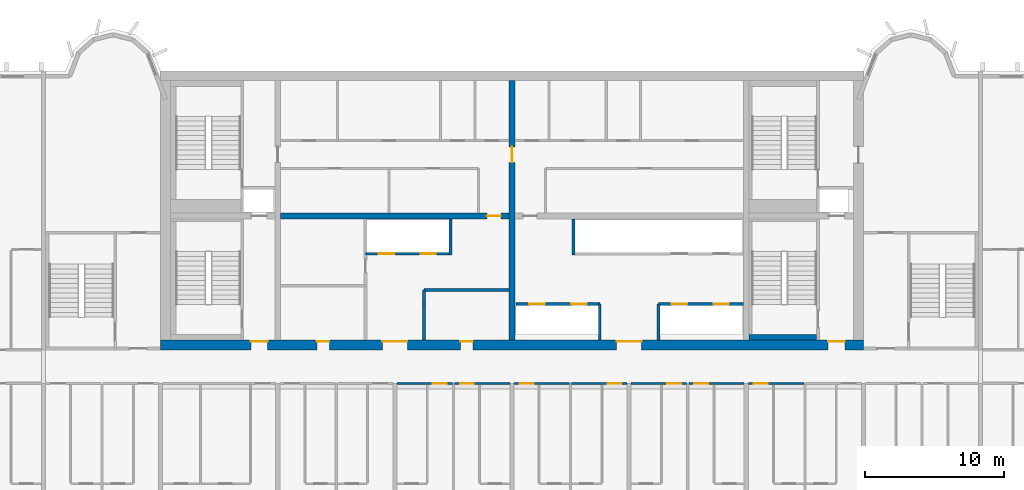
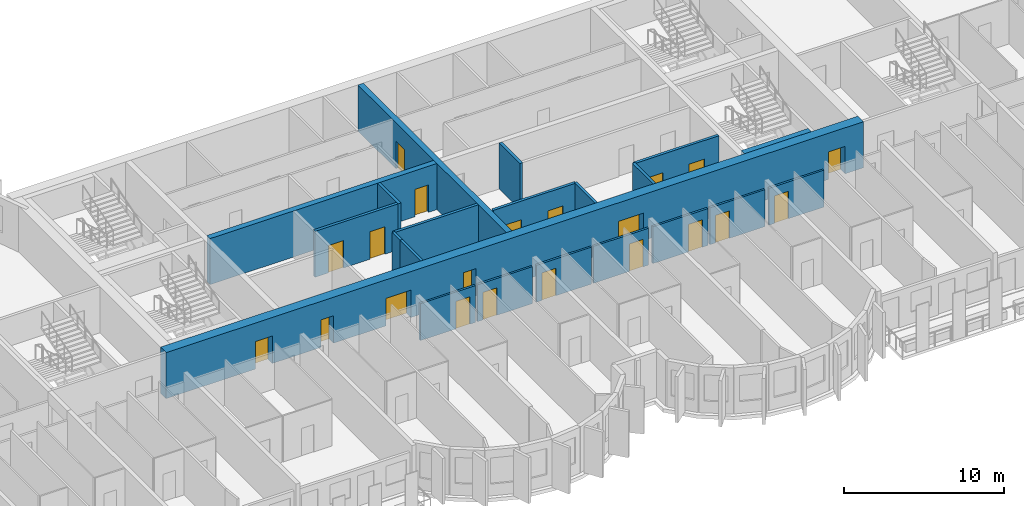
# One storey, part 6 of 13: 21 doors, 21 walls, 21 openings.
"""IFC4 building model written with IfcOpenShell, lengths in metres."""

from ifc_helpers import new_model, si_unit, direction, frame, frame_2d, origin, place, context, subcontext, project, spatial, rectangle, extrude, source, transform, mapped, material, layer, layer_set, type_object, element, fill, save


model = new_model("IFC4")

# Units and contexts
model_context = context("Model", 3, precision=1e-05, world=origin(), true_north=direction((0.0, 1.0)))
body_context = subcontext(model_context, "Body", "Model", "MODEL_VIEW")
ifc_project = project(units=[si_unit("LENGTHUNIT", "METRE"), si_unit("AREAUNIT", "SQUARE_METRE"), si_unit("VOLUMEUNIT", "CUBIC_METRE"), si_unit("PLANEANGLEUNIT", "RADIAN"), si_unit("MASSUNIT", "GRAM", prefix="KILO")], contexts=[model_context])

# Site, building, storey
site_placement = place(None, origin())
site = spatial("IfcSite", under=ifc_project, at=site_placement, CompositionType="ELEMENT")
building_placement = place(site_placement, origin())
building = spatial("IfcBuilding", under=site, at=building_placement, Name="Vanashikhar Sky Hotel", CompositionType="ELEMENT")
storey_placement = place(building_placement, frame((0.0, 0.0, 178.199951171875)))
storey = spatial("IfcBuildingStorey", under=building, at=storey_placement, Name="L43", CompositionType="ELEMENT", Elevation=178.199951171875)

# Wall, opening, door
ifc_material_1 = material(Name="Concrete M60", Category="concrete")
ifc_layer_1 = layer(ifc_material_1, 0.39990234375)
ifc_layer_set_1 = layer_set([ifc_layer_1], Name="RC core inner wall 400 Concrete M60")
wall_type_1 = type_object("IfcWallType", Name="RC core inner wall 400 Concrete M60", PredefinedType="SHEAR", material=ifc_layer_set_1)
shared_shape_1 = source(origin(), body_context, "Body", "SweptSolid", [
    extrude(rectangle(XDim=18.60009765625, YDim=0.39990234375, at=frame_2d((9.300048828125, 0.0))), origin(), (0.0, 0.0, 1.0), 3.52001953125),
])
wall_1_placement = place(storey_placement, frame((50.39990234375, 22.699951171875, 0.0), z_axis=(0.0, 0.0, 1.0), x_axis=(0.0, 1.0, 0.0)))
wall_1 = element("IfcWall", 1, at=wall_1_placement, inside=storey, type_object=wall_type_1, Name="KW-L43-KX2", PredefinedType="SHEAR", context=body_context, shape_type="MappedRepresentation", body=[
    mapped(shared_shape_1, transform((0.0, 0.0, 0.0), scale=1.0)),
])
shared_shape_2 = source(origin(), body_context, "Body", "SweptSolid", [
    extrude(rectangle(XDim=1.10009765625, YDim=2.10009765625, at=frame_2d((0.550048828125, 1.050048828125))), frame((0.0, 0.2099609375, 0.0), z_axis=(0.0, -1.0, 0.0), x_axis=(1.0, 0.0, 0.0)), (0.0, 0.0, 1.0), 0.419921875),
])
opening_1_placement = place(wall_1_placement, frame((12.75, 0.0, 0.0)))
opening_1 = element("IfcOpeningElement", 2, at=opening_1_placement, cuts=wall_1, Name="Opening DC-4-C", PredefinedType="OPENING", context=body_context, shape_type="MappedRepresentation", body=[
    mapped(shared_shape_2, transform((0.0, 0.0, 0.0), scale=1.0)),
])
ifc_material_2 = material(Name="Steel", Category="steel")
door_type_1 = type_object("IfcDoorType", Name="Service door 1100 FD60", OperationType="NOTDEFINED", PredefinedType="DOOR", material=ifc_material_2)
shared_shape_3 = source(origin(), body_context, "Body", "SweptSolid", [
    extrude(rectangle(XDim=1.10009765625, YDim=2.10009765625, at=frame_2d((0.550048828125, 1.050048828125))), frame((0.0, 0.02490234375, 0.0), z_axis=(0.0, -1.0, 0.0), x_axis=(1.0, 0.0, 0.0)), (0.0, 0.0, 1.0), 0.050048828125),
])
door_1_placement = place(opening_1_placement, origin())
door_1 = element("IfcDoor", 3, at=door_1_placement, inside=storey, type_object=door_type_1, Name="Service door 1100 FD60", OperationType="SINGLE_SWING_LEFT", OverallHeight=2.10009765625, OverallWidth=1.10009765625, PredefinedType="DOOR", context=body_context, shape_type="MappedRepresentation", body=[
    mapped(shared_shape_3, transform((0.0, 0.0, 0.0), scale=1.0)),
])
fill(opening_1, door_1)

# Wall, openings, doors
ifc_layer_2 = layer(ifc_material_1, 0.699951171875)
ifc_layer_set_2 = layer_set([ifc_layer_2], Name="RC core shell wall 700 Concrete M60")
wall_type_2 = type_object("IfcWallType", Name="RC core shell wall 700 Concrete M60", PredefinedType="SHEAR", material=ifc_layer_set_2)
shared_shape_4 = source(origin(), body_context, "Body", "SweptSolid", [
    extrude(rectangle(XDim=50.400146484375, YDim=0.699951171875, at=frame_2d((25.2001953125, 0.0))), origin(), (0.0, 0.0, 1.0), 3.52001953125),
])
wall_2_placement = place(storey_placement, frame((25.199951171875, 22.35009765625, 0.0), z_axis=(0.0, 0.0, 1.0), x_axis=(1.0, 0.0, 0.0)))
wall_2 = element("IfcWall", 4, at=wall_2_placement, inside=storey, type_object=wall_type_2, Name="KW-L43-KS", PredefinedType="SHEAR", context=body_context, shape_type="MappedRepresentation", body=[
    mapped(shared_shape_4, transform((0.0, 0.0, 0.0), scale=1.0)),
])
shared_shape_5 = source(origin(), body_context, "Body", "SweptSolid", [
    extrude(rectangle(XDim=1.800048828125, YDim=2.10009765625, at=frame_2d((0.89990234375, 1.050048828125))), frame((0.0, 0.35986328125, 0.0), z_axis=(0.0, -1.0, 0.0), x_axis=(1.0, 0.0, 0.0)), (0.0, 0.0, 1.0), 0.719970703125),
])
opening_2_placement = place(wall_2_placement, frame((15.89990234375, 0.0, 0.0)))
opening_2 = element("IfcOpeningElement", 5, at=opening_2_placement, cuts=wall_2, Name="Opening DC-3-A", PredefinedType="OPENING", context=body_context, shape_type="MappedRepresentation", body=[
    mapped(shared_shape_5, transform((0.0, 0.0, 0.0), scale=1.0)),
])
shared_shape_6 = source(origin(), body_context, "Body", "SweptSolid", [
    extrude(rectangle(XDim=0.89990234375, YDim=2.10009765625, at=frame_2d((0.449951171875, 1.050048828125))), frame((0.0, 0.35986328125, 0.0), z_axis=(0.0, -1.0, 0.0), x_axis=(1.0, 0.0, 0.0)), (0.0, 0.0, 1.0), 0.719970703125),
])
opening_3_placement = place(wall_2_placement, frame((11.199951171875, 0.0, 0.0)))
opening_3 = element("IfcOpeningElement", 6, at=opening_3_placement, cuts=wall_2, Name="Opening DC-4-A", PredefinedType="OPENING", context=body_context, shape_type="MappedRepresentation", body=[
    mapped(shared_shape_6, transform((0.0, 0.0, 0.0), scale=1.0)),
])
opening_4_placement = place(wall_2_placement, frame((21.5, 0.0, 0.0)))
opening_4 = element("IfcOpeningElement", 7, at=opening_4_placement, cuts=wall_2, Name="Opening DC-4-A", PredefinedType="OPENING", context=body_context, shape_type="MappedRepresentation", body=[
    mapped(shared_shape_6, transform((0.0, 0.0, 0.0), scale=1.0)),
])
opening_5_placement = place(wall_2_placement, frame((32.699951171875, 0.0, 0.0)))
opening_5 = element("IfcOpeningElement", 8, at=opening_5_placement, cuts=wall_2, Name="Opening DC-3-A", PredefinedType="OPENING", context=body_context, shape_type="MappedRepresentation", body=[
    mapped(shared_shape_5, transform((0.0, 0.0, 0.0), scale=1.0)),
])
shared_shape_7 = source(origin(), body_context, "Body", "SweptSolid", [
    extrude(rectangle(XDim=1.199951171875, YDim=2.10009765625, at=frame_2d((0.60009765625, 1.050048828125))), frame((0.0, 0.35986328125, 0.0), z_axis=(0.0, -1.0, 0.0), x_axis=(1.0, 0.0, 0.0)), (0.0, 0.0, 1.0), 0.719970703125),
])
opening_6_placement = place(wall_2_placement, frame((6.47509765625, 0.0, 0.0)))
opening_6 = element("IfcOpeningElement", 9, at=opening_6_placement, cuts=wall_2, Name="Opening DC-2", PredefinedType="OPENING", context=body_context, shape_type="MappedRepresentation", body=[
    mapped(shared_shape_7, transform((0.0, 0.0, 0.0), scale=1.0)),
])
opening_7_placement = place(wall_2_placement, frame((47.875, 0.0, 0.0)))
opening_7 = element("IfcOpeningElement", 10, at=opening_7_placement, cuts=wall_2, Name="Opening DC-2", PredefinedType="OPENING", context=body_context, shape_type="MappedRepresentation", body=[
    mapped(shared_shape_7, transform((0.0, 0.0, 0.0), scale=1.0)),
])
ifc_material_3 = material(Name="Glass", Category="glass")
door_type_2 = type_object("IfcDoorType", Name="Lift lobby entrance door 1800 FD30S", OperationType="NOTDEFINED", PredefinedType="DOOR", material=ifc_material_3)
shared_shape_8 = source(origin(), body_context, "Body", "SweptSolid", [
    extrude(rectangle(XDim=1.800048828125, YDim=2.10009765625, at=frame_2d((0.89990234375, 1.050048828125))), frame((0.0, 0.27490234375, 0.0), z_axis=(0.0, -1.0, 0.0), x_axis=(1.0, 0.0, 0.0)), (0.0, 0.0, 1.0), 0.050048828125),
])
door_2_placement = place(opening_2_placement, origin())
door_2 = element("IfcDoor", 11, at=door_2_placement, inside=storey, type_object=door_type_2, Name="Lift lobby entrance door 1800 FD30S", OperationType="DOUBLE_DOOR_SINGLE_SWING", OverallHeight=2.10009765625, OverallWidth=1.800048828125, PredefinedType="DOOR", context=body_context, shape_type="MappedRepresentation", body=[
    mapped(shared_shape_8, transform((0.0, 0.0, 0.0), scale=1.0)),
])
fill(opening_2, door_2)
door_3_placement = place(opening_5_placement, origin())
door_3 = element("IfcDoor", 12, at=door_3_placement, inside=storey, type_object=door_type_2, Name="Lift lobby entrance door 1800 FD30S", OperationType="DOUBLE_DOOR_SINGLE_SWING", OverallHeight=2.10009765625, OverallWidth=1.800048828125, PredefinedType="DOOR", context=body_context, shape_type="MappedRepresentation", body=[
    mapped(shared_shape_8, transform((0.0, 0.0, 0.0), scale=1.0)),
])
fill(opening_5, door_3)
door_type_3 = type_object("IfcDoorType", Name="Firefighting lobby door 1200 FD120", OperationType="NOTDEFINED", PredefinedType="DOOR", material=ifc_material_2)
shared_shape_9 = source(origin(), body_context, "Body", "SweptSolid", [
    extrude(rectangle(XDim=1.199951171875, YDim=2.10009765625, at=frame_2d((0.60009765625, 1.050048828125))), frame((0.0, 0.27490234375, 0.0), z_axis=(0.0, -1.0, 0.0), x_axis=(1.0, 0.0, 0.0)), (0.0, 0.0, 1.0), 0.050048828125),
])
door_4_placement = place(opening_6_placement, origin())
door_4 = element("IfcDoor", 13, at=door_4_placement, inside=storey, type_object=door_type_3, Name="Firefighting lobby door 1200 FD120", OperationType="SINGLE_SWING_LEFT", OverallHeight=2.10009765625, OverallWidth=1.199951171875, PredefinedType="DOOR", context=body_context, shape_type="MappedRepresentation", body=[
    mapped(shared_shape_9, transform((0.0, 0.0, 0.0), scale=1.0)),
])
fill(opening_6, door_4)
door_5_placement = place(opening_7_placement, origin())
door_5 = element("IfcDoor", 14, at=door_5_placement, inside=storey, type_object=door_type_3, Name="Firefighting lobby door 1200 FD120", OperationType="SINGLE_SWING_LEFT", OverallHeight=2.10009765625, OverallWidth=1.199951171875, PredefinedType="DOOR", context=body_context, shape_type="MappedRepresentation", body=[
    mapped(shared_shape_9, transform((0.0, 0.0, 0.0), scale=1.0)),
])
fill(opening_7, door_5)
door_type_4 = type_object("IfcDoorType", Name="Service door 900 FD60", OperationType="NOTDEFINED", PredefinedType="DOOR", material=ifc_material_2)
shared_shape_10 = source(origin(), body_context, "Body", "SweptSolid", [
    extrude(rectangle(XDim=0.89990234375, YDim=2.10009765625, at=frame_2d((0.449951171875, 1.050048828125))), frame((0.0, 0.27490234375, 0.0), z_axis=(0.0, -1.0, 0.0), x_axis=(1.0, 0.0, 0.0)), (0.0, 0.0, 1.0), 0.050048828125),
])
door_6_placement = place(opening_3_placement, origin())
door_6 = element("IfcDoor", 15, at=door_6_placement, inside=storey, type_object=door_type_4, Name="Service door 900 FD60", OperationType="SINGLE_SWING_LEFT", OverallHeight=2.10009765625, OverallWidth=0.89990234375, PredefinedType="DOOR", context=body_context, shape_type="MappedRepresentation", body=[
    mapped(shared_shape_10, transform((0.0, 0.0, 0.0), scale=1.0)),
])
fill(opening_3, door_6)
door_7_placement = place(opening_4_placement, origin())
door_7 = element("IfcDoor", 16, at=door_7_placement, inside=storey, type_object=door_type_4, Name="Service door 900 FD60", OperationType="SINGLE_SWING_LEFT", OverallHeight=2.10009765625, OverallWidth=0.89990234375, PredefinedType="DOOR", context=body_context, shape_type="MappedRepresentation", body=[
    mapped(shared_shape_10, transform((0.0, 0.0, 0.0), scale=1.0)),
])
fill(opening_4, door_7)

# Wall, opening, door
shared_shape_11 = source(origin(), body_context, "Body", "SweptSolid", [
    extrude(rectangle(XDim=16.39990234375, YDim=0.39990234375, at=frame_2d((8.199951171875, 0.0))), origin(), (0.0, 0.0, 1.0), 3.52001953125),
])
wall_3_placement = place(storey_placement, frame((33.800048828125, 31.60009765625, 0.0), z_axis=(0.0, 0.0, 1.0), x_axis=(1.0, 0.0, 0.0)))
wall_3 = element("IfcWall", 17, at=wall_3_placement, inside=storey, type_object=wall_type_1, Name="KW-L43-KY2", PredefinedType="SHEAR", context=body_context, shape_type="MappedRepresentation", body=[
    mapped(shared_shape_11, transform((0.0, 0.0, 0.0), scale=1.0)),
])
shared_shape_12 = source(origin(), body_context, "Body", "SweptSolid", [
    extrude(rectangle(XDim=1.0, YDim=2.10009765625, at=frame_2d((0.5, 1.050048828125))), frame((0.0, 0.2099609375, 0.0), z_axis=(0.0, -1.0, 0.0), x_axis=(1.0, 0.0, 0.0)), (0.0, 0.0, 1.0), 0.419921875),
])
opening_8_placement = place(wall_3_placement, frame((14.800048828125, 0.0, 0.0)))
opening_8 = element("IfcOpeningElement", 18, at=opening_8_placement, cuts=wall_3, Name="Opening DC-4", PredefinedType="OPENING", context=body_context, shape_type="MappedRepresentation", body=[
    mapped(shared_shape_12, transform((0.0, 0.0, 0.0), scale=1.0)),
])
door_type_5 = type_object("IfcDoorType", Name="Service door 1000 FD60", OperationType="NOTDEFINED", PredefinedType="DOOR", material=ifc_material_2)
shared_shape_13 = source(origin(), body_context, "Body", "SweptSolid", [
    extrude(rectangle(XDim=1.0, YDim=2.10009765625, at=frame_2d((0.5, 1.050048828125))), frame((0.0, 0.02490234375, 0.0), z_axis=(0.0, -1.0, 0.0), x_axis=(1.0, 0.0, 0.0)), (0.0, 0.0, 1.0), 0.050048828125),
])
door_8_placement = place(opening_8_placement, origin())
door_8 = element("IfcDoor", 19, at=door_8_placement, inside=storey, type_object=door_type_5, Name="Service door 1000 FD60", OperationType="SINGLE_SWING_LEFT", OverallHeight=2.10009765625, OverallWidth=1.0, PredefinedType="DOOR", context=body_context, shape_type="MappedRepresentation", body=[
    mapped(shared_shape_13, transform((0.0, 0.0, 0.0), scale=1.0)),
])
fill(opening_8, door_8)

# Wall, openings, doors
ifc_material_4 = material(Name="Concrete M40", Category="concrete")
ifc_layer_3 = layer(ifc_material_4, 0.199951171875)
ifc_layer_set_3 = layer_set([ifc_layer_3], Name="Shaft wall 200")
wall_type_3 = type_object("IfcWallType", Name="Shaft wall 200", PredefinedType="SOLIDWALL", material=ifc_layer_set_3)
shared_shape_14 = source(origin(), body_context, "Body", "SweptSolid", [
    extrude(rectangle(XDim=6.0, YDim=0.199951171875, at=frame_2d((3.0, 0.0))), origin(), (0.0, 0.0, 1.0), 3.52001953125),
])
wall_4_placement = place(storey_placement, frame((39.89990234375, 28.89990234375, 0.0), z_axis=(0.0, 0.0, 1.0), x_axis=(1.0, 0.0, 0.0)))
wall_4 = element("IfcWall", 20, at=wall_4_placement, inside=storey, type_object=wall_type_3, Name="Shaft wall 200", PredefinedType="SOLIDWALL", context=body_context, shape_type="MappedRepresentation", body=[
    mapped(shared_shape_14, transform((0.0, 0.0, 0.0), scale=1.0)),
])
shared_shape_15 = source(origin(), body_context, "Body", "SweptSolid", [
    extrude(rectangle(XDim=1.10009765625, YDim=2.10009765625, at=frame_2d((0.550048828125, 1.050048828125))), frame((0.0, 0.10986328125, 0.0), z_axis=(0.0, -1.0, 0.0), x_axis=(1.0, 0.0, 0.0)), (0.0, 0.0, 1.0), 0.219970703125),
])
opening_9_placement = place(wall_4_placement, frame((0.949951171875, 0.0, 0.0)))
opening_9 = element("IfcOpeningElement", 21, at=opening_9_placement, cuts=wall_4, Name="Opening LD", PredefinedType="OPENING", context=body_context, shape_type="MappedRepresentation", body=[
    mapped(shared_shape_15, transform((0.0, 0.0, 0.0), scale=1.0)),
])
opening_10_placement = place(wall_4_placement, frame((3.949951171875, 0.0, 0.0)))
opening_10 = element("IfcOpeningElement", 22, at=opening_10_placement, cuts=wall_4, Name="Opening LD", PredefinedType="OPENING", context=body_context, shape_type="MappedRepresentation", body=[
    mapped(shared_shape_15, transform((0.0, 0.0, 0.0), scale=1.0)),
])
ifc_material_5 = material(Name="Stainless steel", Category="steel")
door_type_6 = type_object("IfcDoorType", Name="Lift landing door 1100", OperationType="NOTDEFINED", PredefinedType="DOOR", material=ifc_material_5)
door_9_placement = place(opening_9_placement, origin())
door_9 = element("IfcDoor", 23, at=door_9_placement, inside=storey, type_object=door_type_6, Name="Lift landing door 1100", OperationType="SLIDING_TO_LEFT", OverallHeight=2.10009765625, OverallWidth=1.10009765625, PredefinedType="DOOR", context=body_context, shape_type="MappedRepresentation", body=[
    mapped(shared_shape_3, transform((0.0, 0.0, 0.0), scale=1.0)),
])
fill(opening_9, door_9)
door_10_placement = place(opening_10_placement, origin())
door_10 = element("IfcDoor", 24, at=door_10_placement, inside=storey, type_object=door_type_6, Name="Lift landing door 1100", OperationType="SLIDING_TO_RIGHT", OverallHeight=2.10009765625, OverallWidth=1.10009765625, PredefinedType="DOOR", context=body_context, shape_type="MappedRepresentation", body=[
    mapped(shared_shape_3, transform((0.0, 0.0, 0.0), scale=1.0)),
])
fill(opening_10, door_10)

wall_5_placement = place(storey_placement, frame((56.699951171875, 25.300048828125, 0.0), z_axis=(0.0, 0.0, 1.0), x_axis=(-1.0, 0.0, 0.0)))
wall_5 = element("IfcWall", 25, at=wall_5_placement, inside=storey, type_object=wall_type_3, Name="Shaft wall 200", PredefinedType="SOLIDWALL", context=body_context, shape_type="MappedRepresentation", body=[
    mapped(shared_shape_14, transform((0.0, 0.0, 0.0), scale=1.0)),
])
opening_11_placement = place(wall_5_placement, frame((0.949951171875, 0.0, 0.0)))
opening_11 = element("IfcOpeningElement", 26, at=opening_11_placement, cuts=wall_5, Name="Opening LD", PredefinedType="OPENING", context=body_context, shape_type="MappedRepresentation", body=[
    mapped(shared_shape_15, transform((0.0, 0.0, 0.0), scale=1.0)),
])
opening_12_placement = place(wall_5_placement, frame((3.949951171875, 0.0, 0.0)))
opening_12 = element("IfcOpeningElement", 27, at=opening_12_placement, cuts=wall_5, Name="Opening LD", PredefinedType="OPENING", context=body_context, shape_type="MappedRepresentation", body=[
    mapped(shared_shape_15, transform((0.0, 0.0, 0.0), scale=1.0)),
])
door_11_placement = place(opening_11_placement, origin())
door_11 = element("IfcDoor", 28, at=door_11_placement, inside=storey, type_object=door_type_6, Name="Lift landing door 1100", OperationType="SLIDING_TO_RIGHT", OverallHeight=2.10009765625, OverallWidth=1.10009765625, PredefinedType="DOOR", context=body_context, shape_type="MappedRepresentation", body=[
    mapped(shared_shape_3, transform((0.0, 0.0, 0.0), scale=1.0)),
])
fill(opening_11, door_11)
door_12_placement = place(opening_12_placement, origin())
door_12 = element("IfcDoor", 29, at=door_12_placement, inside=storey, type_object=door_type_6, Name="Lift landing door 1100", OperationType="SLIDING_TO_LEFT", OverallHeight=2.10009765625, OverallWidth=1.10009765625, PredefinedType="DOOR", context=body_context, shape_type="MappedRepresentation", body=[
    mapped(shared_shape_3, transform((0.0, 0.0, 0.0), scale=1.0)),
])
fill(opening_12, door_12)

# Walls
ifc_material_6 = material(Name="Gypsum board partition")
ifc_layer_4 = layer(ifc_material_6, 0.14990234375)
ifc_layer_set_4 = layer_set([ifc_layer_4], Name="Service partition 150")
wall_type_4 = type_object("IfcWallType", Name="Service partition 150", PredefinedType="PARTITIONING", material=ifc_layer_set_4)
shared_shape_16 = source(origin(), body_context, "Body", "SweptSolid", [
    extrude(rectangle(XDim=2.60009765625, YDim=0.199951171875, at=frame_2d((1.300048828125, 0.0))), origin(), (0.0, 0.0, 1.0), 3.52001953125),
])
wall_6_placement = place(storey_placement, frame((44.10009765625, 22.699951171875, 0.0), z_axis=(0.0, 0.0, 1.0), x_axis=(0.0, 1.0, 0.0)))
element("IfcWall", 30, at=wall_6_placement, inside=storey, type_object=wall_type_4, Name="Service partition 150", PredefinedType="PARTITIONING", context=body_context, shape_type="MappedRepresentation", body=[
    mapped(shared_shape_16, transform((0.0, 0.0, 0.0), scale=1.0)),
])
for number, where, z_axis, x_axis, name in (
    (31, (60.89990234375, 22.699951171875, 0.0), (0.0, 0.0, 1.0), (0.0, 1.0, 0.0), "Shaft wall 200"),
    (32, (56.699951171875, 22.699951171875, 0.0), (0.0, 0.0, 1.0), (0.0, 1.0, 0.0), "Shaft wall 200"),
):
    element("IfcWall", number, at=place(storey_placement, frame(where, z_axis=z_axis, x_axis=x_axis)), inside=storey, type_object=wall_type_3, Name=name, PredefinedType="SOLIDWALL", context=body_context, shape_type="MappedRepresentation", body=[
        mapped(shared_shape_16, transform((0.0, 0.0, 0.0), scale=1.0)),
    ])
shared_shape_17 = source(origin(), body_context, "Body", "SweptSolid", [
    extrude(rectangle(XDim=2.599853515625, YDim=0.199951171875, at=frame_2d((1.2998046875, 0.0))), origin(), (0.0, 0.0, 1.0), 3.52001953125),
])
for number, where, z_axis, x_axis, name in (
    (33, (46.0, 28.800048828125, 0.0), (0.0, 0.0, 1.0), (0.0, 1.0, 0.0), "Shaft wall 200"),
    (34, (54.800048828125, 28.800048828125, 0.0), (0.0, 0.0, 1.0), (0.0, 1.0, 0.0), "Shaft wall 200"),
):
    element("IfcWall", number, at=place(storey_placement, frame(where, z_axis=z_axis, x_axis=x_axis)), inside=storey, type_object=wall_type_3, Name=name, PredefinedType="SOLIDWALL", context=body_context, shape_type="MappedRepresentation", body=[
        mapped(shared_shape_17, transform((0.0, 0.0, 0.0), scale=1.0)),
    ])
shared_shape_18 = source(origin(), body_context, "Body", "SweptSolid", [
    extrude(rectangle(XDim=6.099853515625, YDim=0.199951171875, at=frame_2d((3.0498046875, 0.0))), origin(), (0.0, 0.0, 1.0), 3.52001953125),
])
wall_7_placement = place(storey_placement, frame((44.10009765625, 26.300048828125, 0.0), z_axis=(0.0, 0.0, 1.0), x_axis=(1.0, 0.0, 0.0)))
element("IfcWall", 35, at=wall_7_placement, inside=storey, type_object=wall_type_4, Name="Service partition 150", PredefinedType="PARTITIONING", context=body_context, shape_type="MappedRepresentation", body=[
    mapped(shared_shape_18, transform((0.0, 0.0, 0.0), scale=1.0)),
])
shared_shape_19 = source(origin(), body_context, "Body", "SweptSolid", [
    extrude(rectangle(XDim=1.0, YDim=0.199951171875, at=frame_2d((0.5, 0.0))), origin(), (0.0, 0.0, 1.0), 3.52001953125),
])
wall_8_placement = place(storey_placement, frame((44.10009765625, 25.300048828125, 0.0), z_axis=(0.0, 0.0, 1.0), x_axis=(0.0, 1.0, 0.0)))
element("IfcWall", 36, at=wall_8_placement, inside=storey, type_object=wall_type_4, Name="Service partition 150", PredefinedType="PARTITIONING", context=body_context, shape_type="MappedRepresentation", body=[
    mapped(shared_shape_19, transform((0.0, 0.0, 0.0), scale=1.0)),
])

# Wall, openings, doors
shared_shape_20 = source(origin(), body_context, "Body", "SweptSolid", [
    extrude(rectangle(XDim=6.10009765625, YDim=0.199951171875, at=frame_2d((3.050048828125, 0.0))), origin(), (0.0, 0.0, 1.0), 3.52001953125),
])
wall_9_placement = place(storey_placement, frame((67.0, 25.300048828125, 0.0), z_axis=(0.0, 0.0, 1.0), x_axis=(-1.0, 0.0, 0.0)))
wall_9 = element("IfcWall", 37, at=wall_9_placement, inside=storey, type_object=wall_type_3, Name="Shaft wall 200", PredefinedType="SOLIDWALL", context=body_context, shape_type="MappedRepresentation", body=[
    mapped(shared_shape_20, transform((0.0, 0.0, 0.0), scale=1.0)),
])
opening_13_placement = place(wall_9_placement, frame((1.050048828125, 0.0, 0.0)))
opening_13 = element("IfcOpeningElement", 38, at=opening_13_placement, cuts=wall_9, Name="Opening LD", PredefinedType="OPENING", context=body_context, shape_type="MappedRepresentation", body=[
    mapped(shared_shape_15, transform((0.0, 0.0, 0.0), scale=1.0)),
])
opening_14_placement = place(wall_9_placement, frame((4.050048828125, 0.0, 0.0)))
opening_14 = element("IfcOpeningElement", 39, at=opening_14_placement, cuts=wall_9, Name="Opening LD", PredefinedType="OPENING", context=body_context, shape_type="MappedRepresentation", body=[
    mapped(shared_shape_15, transform((0.0, 0.0, 0.0), scale=1.0)),
])
door_13_placement = place(opening_13_placement, origin())
door_13 = element("IfcDoor", 40, at=door_13_placement, inside=storey, type_object=door_type_6, Name="Lift landing door 1100", OperationType="SLIDING_TO_RIGHT", OverallHeight=2.10009765625, OverallWidth=1.10009765625, PredefinedType="DOOR", context=body_context, shape_type="MappedRepresentation", body=[
    mapped(shared_shape_3, transform((0.0, 0.0, 0.0), scale=1.0)),
])
fill(opening_13, door_13)
door_14_placement = place(opening_14_placement, origin())
door_14 = element("IfcDoor", 41, at=door_14_placement, inside=storey, type_object=door_type_6, Name="Lift landing door 1100", OperationType="SLIDING_TO_LEFT", OverallHeight=2.10009765625, OverallWidth=1.10009765625, PredefinedType="DOOR", context=body_context, shape_type="MappedRepresentation", body=[
    mapped(shared_shape_3, transform((0.0, 0.0, 0.0), scale=1.0)),
])
fill(opening_14, door_14)

# Wall
ifc_material_7 = material(Name="Concrete M50", Category="concrete")
ifc_layer_5 = layer(ifc_material_7, 0.39990234375)
ifc_layer_set_5 = layer_set([ifc_layer_5], Name="Stair infill wall 400")
wall_type_5 = type_object("IfcWallType", Name="Stair infill wall 400", PredefinedType="SOLIDWALL", material=ifc_layer_set_5)
shared_shape_21 = source(origin(), body_context, "Body", "SweptSolid", [
    extrude(rectangle(XDim=4.85009765625, YDim=0.39990234375, at=frame_2d((2.425048828125, 0.0))), origin(), (0.0, 0.0, 1.0), 3.52001953125),
])
wall_10_placement = place(storey_placement, frame((67.39990234375, 22.89990234375, 0.0), z_axis=(0.0, 0.0, 1.0), x_axis=(1.0, 0.0, 0.0)))
element("IfcWall", 42, at=wall_10_placement, inside=storey, type_object=wall_type_5, Name="Stair infill wall 400", PredefinedType="SOLIDWALL", context=body_context, shape_type="MappedRepresentation", body=[
    mapped(shared_shape_21, transform((0.0, 0.0, 0.0), scale=1.0)),
])

# Wall, opening, door
ifc_material_8 = material(Name="Gypsum plasterboard partition")
ifc_layer_6 = layer(ifc_material_8, 0.14990234375)
ifc_layer_set_6 = layer_set([ifc_layer_6], Name="Corridor and demising partition 150")
wall_type_6 = type_object("IfcWallType", Name="Corridor and demising partition 150", PredefinedType="PARTITIONING", material=ifc_layer_set_6)
shared_shape_22 = source(origin(), body_context, "Body", "SweptSolid", [
    extrude(rectangle(XDim=3.974853515625, YDim=0.14990234375, at=frame_2d((1.9873046875, 0.0))), origin(), (0.0, 0.0, 1.0), 2.820068359375),
])
wall_11_placement = place(storey_placement, frame((50.550048828125, 19.60009765625, 0.0), z_axis=(0.0, 0.0, 1.0), x_axis=(1.0, 0.0, 0.0)))
wall_11 = element("IfcWall", 43, at=wall_11_placement, inside=storey, type_object=wall_type_6, Name="W-L43-PW036", PredefinedType="PARTITIONING", context=body_context, shape_type="MappedRepresentation", body=[
    mapped(shared_shape_22, transform((0.0, 0.0, 0.0), scale=1.0)),
])
shared_shape_23 = source(origin(), body_context, "Body", "SweptSolid", [
    extrude(rectangle(XDim=1.0, YDim=2.10009765625, at=frame_2d((0.5, 1.050048828125))), frame((0.0, 0.0849609375, 0.0), z_axis=(0.0, -1.0, 0.0), x_axis=(1.0, 0.0, 0.0)), (0.0, 0.0, 1.0), 0.169921875),
])
opening_15_placement = place(wall_11_placement, frame((0.39990234375, 0.0, 0.0)))
opening_15 = element("IfcOpeningElement", 44, at=opening_15_placement, cuts=wall_11, Name="Opening D-01", PredefinedType="OPENING", context=body_context, shape_type="MappedRepresentation", body=[
    mapped(shared_shape_23, transform((0.0, 0.0, 0.0), scale=1.0)),
])
ifc_material_9 = material(Name="Timber fire door", Category="wood")
door_type_7 = type_object("IfcDoorType", Name="Guest entry door 1000 FD30S", OperationType="NOTDEFINED", PredefinedType="DOOR", material=ifc_material_9)
door_15_placement = place(opening_15_placement, origin())
door_15 = element("IfcDoor", 45, at=door_15_placement, inside=storey, type_object=door_type_7, Name="D-L43-021", OperationType="SINGLE_SWING_LEFT", OverallHeight=2.10009765625, OverallWidth=1.0, PredefinedType="DOOR", context=body_context, shape_type="MappedRepresentation", body=[
    mapped(shared_shape_13, transform((0.0, 0.0, 0.0), scale=1.0)),
])
fill(opening_15, door_15)

wall_12_placement = place(storey_placement, frame((54.675048828125, 19.60009765625, 0.0), z_axis=(0.0, 0.0, 1.0), x_axis=(1.0, 0.0, 0.0)))
wall_12 = element("IfcWall", 46, at=wall_12_placement, inside=storey, type_object=wall_type_6, Name="W-L43-PW039", PredefinedType="PARTITIONING", context=body_context, shape_type="MappedRepresentation", body=[
    mapped(shared_shape_22, transform((0.0, 0.0, 0.0), scale=1.0)),
])
opening_16_placement = place(wall_12_placement, frame((2.574951171875, 0.0, 0.0)))
opening_16 = element("IfcOpeningElement", 47, at=opening_16_placement, cuts=wall_12, Name="Opening D-01", PredefinedType="OPENING", context=body_context, shape_type="MappedRepresentation", body=[
    mapped(shared_shape_23, transform((0.0, 0.0, 0.0), scale=1.0)),
])
door_16_placement = place(opening_16_placement, origin())
door_16 = element("IfcDoor", 48, at=door_16_placement, inside=storey, type_object=door_type_7, Name="D-L43-023", OperationType="SINGLE_SWING_RIGHT", OverallHeight=2.10009765625, OverallWidth=1.0, PredefinedType="DOOR", context=body_context, shape_type="MappedRepresentation", body=[
    mapped(shared_shape_13, transform((0.0, 0.0, 0.0), scale=1.0)),
])
fill(opening_16, door_16)

wall_13_placement = place(storey_placement, frame((67.35009765625, 19.60009765625, 0.0), z_axis=(0.0, 0.0, 1.0), x_axis=(1.0, 0.0, 0.0)))
wall_13 = element("IfcWall", 49, at=wall_13_placement, inside=storey, type_object=wall_type_6, Name="W-L43-PW050", PredefinedType="PARTITIONING", context=body_context, shape_type="MappedRepresentation", body=[
    mapped(shared_shape_22, transform((0.0, 0.0, 0.0), scale=1.0)),
])
opening_17_placement = place(wall_13_placement, frame((0.39990234375, 0.0, 0.0)))
opening_17 = element("IfcOpeningElement", 50, at=opening_17_placement, cuts=wall_13, Name="Opening D-01", PredefinedType="OPENING", context=body_context, shape_type="MappedRepresentation", body=[
    mapped(shared_shape_23, transform((0.0, 0.0, 0.0), scale=1.0)),
])
door_17_placement = place(opening_17_placement, origin())
door_17 = element("IfcDoor", 51, at=door_17_placement, inside=storey, type_object=door_type_7, Name="D-L43-029", OperationType="SINGLE_SWING_LEFT", OverallHeight=2.10009765625, OverallWidth=1.0, PredefinedType="DOOR", context=body_context, shape_type="MappedRepresentation", body=[
    mapped(shared_shape_13, transform((0.0, 0.0, 0.0), scale=1.0)),
])
fill(opening_17, door_17)

shared_shape_24 = source(origin(), body_context, "Body", "SweptSolid", [
    extrude(rectangle(XDim=3.97509765625, YDim=0.14990234375, at=frame_2d((1.987548828125, 0.0))), origin(), (0.0, 0.0, 1.0), 2.820068359375),
])
wall_14_placement = place(storey_placement, frame((42.14990234375, 19.60009765625, 0.0), z_axis=(0.0, 0.0, 1.0), x_axis=(1.0, 0.0, 0.0)))
wall_14 = element("IfcWall", 52, at=wall_14_placement, inside=storey, type_object=wall_type_6, Name="W-L43-PW029", PredefinedType="PARTITIONING", context=body_context, shape_type="MappedRepresentation", body=[
    mapped(shared_shape_24, transform((0.0, 0.0, 0.0), scale=1.0)),
])
opening_18_placement = place(wall_14_placement, frame((2.574951171875, 0.0, 0.0)))
opening_18 = element("IfcOpeningElement", 53, at=opening_18_placement, cuts=wall_14, Name="Opening D-01", PredefinedType="OPENING", context=body_context, shape_type="MappedRepresentation", body=[
    mapped(shared_shape_23, transform((0.0, 0.0, 0.0), scale=1.0)),
])
door_18_placement = place(opening_18_placement, origin())
door_18 = element("IfcDoor", 54, at=door_18_placement, inside=storey, type_object=door_type_7, Name="D-L43-017", OperationType="SINGLE_SWING_RIGHT", OverallHeight=2.10009765625, OverallWidth=1.0, PredefinedType="DOOR", context=body_context, shape_type="MappedRepresentation", body=[
    mapped(shared_shape_13, transform((0.0, 0.0, 0.0), scale=1.0)),
])
fill(opening_18, door_18)

wall_15_placement = place(storey_placement, frame((46.27490234375, 19.60009765625, 0.0), z_axis=(0.0, 0.0, 1.0), x_axis=(1.0, 0.0, 0.0)))
wall_15 = element("IfcWall", 55, at=wall_15_placement, inside=storey, type_object=wall_type_6, Name="W-L43-PW032", PredefinedType="PARTITIONING", context=body_context, shape_type="MappedRepresentation", body=[
    mapped(shared_shape_24, transform((0.0, 0.0, 0.0), scale=1.0)),
])
opening_19_placement = place(wall_15_placement, frame((0.39990234375, 0.0, 0.0)))
opening_19 = element("IfcOpeningElement", 56, at=opening_19_placement, cuts=wall_15, Name="Opening D-01", PredefinedType="OPENING", context=body_context, shape_type="MappedRepresentation", body=[
    mapped(shared_shape_23, transform((0.0, 0.0, 0.0), scale=1.0)),
])
door_19_placement = place(opening_19_placement, origin())
door_19 = element("IfcDoor", 57, at=door_19_placement, inside=storey, type_object=door_type_7, Name="D-L43-019", OperationType="SINGLE_SWING_LEFT", OverallHeight=2.10009765625, OverallWidth=1.0, PredefinedType="DOOR", context=body_context, shape_type="MappedRepresentation", body=[
    mapped(shared_shape_13, transform((0.0, 0.0, 0.0), scale=1.0)),
])
fill(opening_19, door_19)

wall_16_placement = place(storey_placement, frame((58.949951171875, 19.60009765625, 0.0), z_axis=(0.0, 0.0, 1.0), x_axis=(1.0, 0.0, 0.0)))
wall_16 = element("IfcWall", 58, at=wall_16_placement, inside=storey, type_object=wall_type_6, Name="W-L43-PW043", PredefinedType="PARTITIONING", context=body_context, shape_type="MappedRepresentation", body=[
    mapped(shared_shape_24, transform((0.0, 0.0, 0.0), scale=1.0)),
])
opening_20_placement = place(wall_16_placement, frame((2.574951171875, 0.0, 0.0)))
opening_20 = element("IfcOpeningElement", 59, at=opening_20_placement, cuts=wall_16, Name="Opening D-01", PredefinedType="OPENING", context=body_context, shape_type="MappedRepresentation", body=[
    mapped(shared_shape_23, transform((0.0, 0.0, 0.0), scale=1.0)),
])
door_20_placement = place(opening_20_placement, origin())
door_20 = element("IfcDoor", 60, at=door_20_placement, inside=storey, type_object=door_type_7, Name="D-L43-025", OperationType="SINGLE_SWING_RIGHT", OverallHeight=2.10009765625, OverallWidth=1.0, PredefinedType="DOOR", context=body_context, shape_type="MappedRepresentation", body=[
    mapped(shared_shape_13, transform((0.0, 0.0, 0.0), scale=1.0)),
])
fill(opening_20, door_20)

wall_17_placement = place(storey_placement, frame((63.074951171875, 19.60009765625, 0.0), z_axis=(0.0, 0.0, 1.0), x_axis=(1.0, 0.0, 0.0)))
wall_17 = element("IfcWall", 61, at=wall_17_placement, inside=storey, type_object=wall_type_6, Name="W-L43-PW046", PredefinedType="PARTITIONING", context=body_context, shape_type="MappedRepresentation", body=[
    mapped(shared_shape_24, transform((0.0, 0.0, 0.0), scale=1.0)),
])
opening_21_placement = place(wall_17_placement, frame((0.39990234375, 0.0, 0.0)))
opening_21 = element("IfcOpeningElement", 62, at=opening_21_placement, cuts=wall_17, Name="Opening D-01", PredefinedType="OPENING", context=body_context, shape_type="MappedRepresentation", body=[
    mapped(shared_shape_23, transform((0.0, 0.0, 0.0), scale=1.0)),
])
door_21_placement = place(opening_21_placement, origin())
door_21 = element("IfcDoor", 63, at=door_21_placement, inside=storey, type_object=door_type_7, Name="D-L43-027", OperationType="SINGLE_SWING_LEFT", OverallHeight=2.10009765625, OverallWidth=1.0, PredefinedType="DOOR", context=body_context, shape_type="MappedRepresentation", body=[
    mapped(shared_shape_13, transform((0.0, 0.0, 0.0), scale=1.0)),
])
fill(opening_21, door_21)

save(model, "model.ifc")
